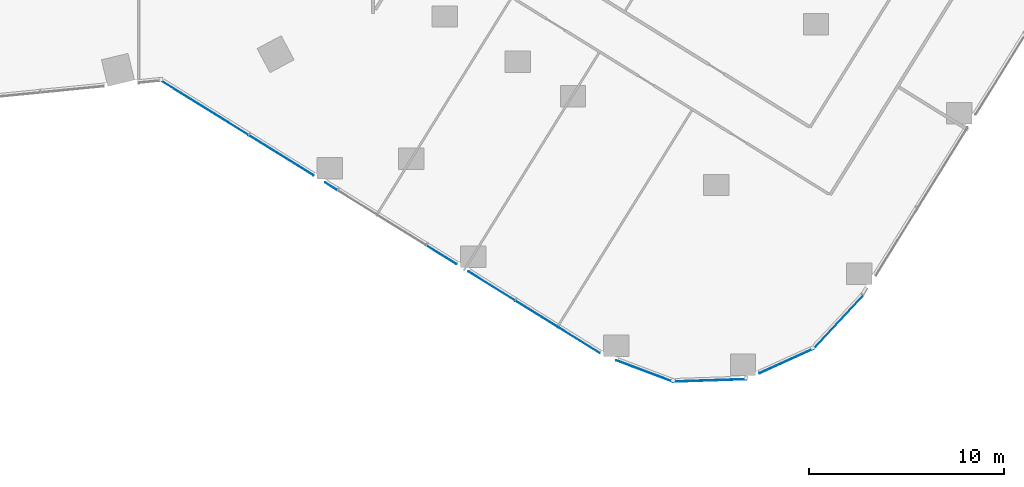
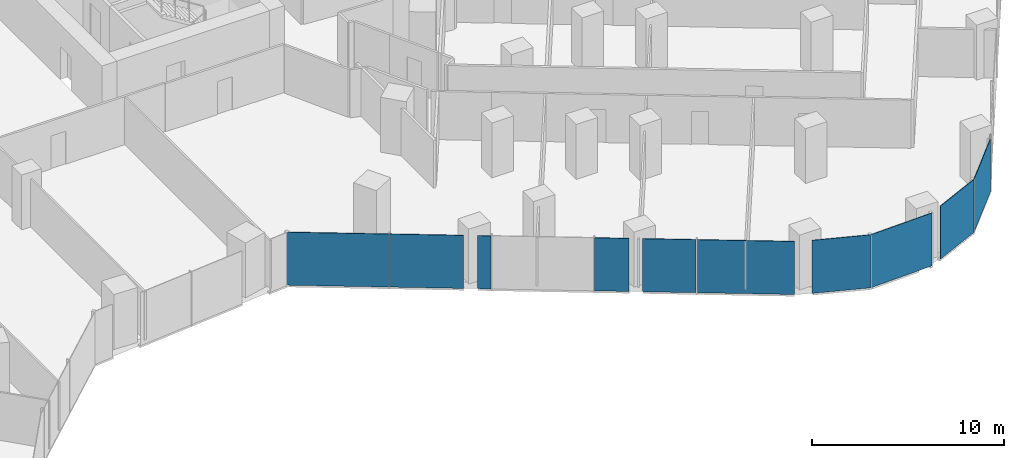
# One storey, part 21 of 34: 10 plates, 5 elements without a shape of their own.
"""IFC4 building model written with IfcOpenShell, lengths in metres."""

from ifc_helpers import new_model, si_unit, direction, frame, origin, origin_2d, place, context, subcontext, project, spatial, rectangle, extrude, material, layer, layer_set, type_object, element, aggregate, save


model = new_model("IFC4")

# Units and contexts
model_context = context("Model", 3, precision=1e-05, world=origin(), true_north=direction((0.0, 1.0)))
body_context = subcontext(model_context, "Body", "Model", "MODEL_VIEW")
ifc_project = project(units=[si_unit("LENGTHUNIT", "METRE"), si_unit("AREAUNIT", "SQUARE_METRE"), si_unit("VOLUMEUNIT", "CUBIC_METRE"), si_unit("PLANEANGLEUNIT", "RADIAN"), si_unit("MASSUNIT", "GRAM", prefix="KILO")], contexts=[model_context])

# Site, building, storey
site_placement = place(None, origin())
site = spatial("IfcSite", under=ifc_project, at=site_placement, CompositionType="ELEMENT")
building_placement = place(site_placement, origin())
building = spatial("IfcBuilding", under=site, at=building_placement, Name="Orlundy Tower", CompositionType="ELEMENT")
storey_placement = place(building_placement, frame((0.0, 0.0, 44.300048828125)))
storey = spatial("IfcBuildingStorey", under=building, at=storey_placement, Name="L09", CompositionType="ELEMENT", Elevation=44.300048828125)

# Curtain wall, plate
ifc_material_1 = material(Name="Aluminium bronze anodised", Category="aluminium")
curtain_wall_type = type_object("IfcCurtainWallType", Name="CW1 wall", PredefinedType="NOTDEFINED", material=ifc_material_1)
curtain_wall_1_placement = place(storey_placement, origin())
curtain_wall_1 = element("IfcCurtainWall", 1, at=curtain_wall_1_placement, inside=storey, type_object=curtain_wall_type, Name="CW1 run 012", PredefinedType="NOTDEFINED")
ifc_material_2 = material(Name="Tinted glass", Category="glass")
ifc_layer = layer(ifc_material_2, 0.031982421875)
ifc_layer_set = layer_set([ifc_layer], Name="CW1 glass panel 32")
plate_type = type_object("IfcPlateType", Name="CW1 glass panel 32", PredefinedType="CURTAIN_PANEL", material=ifc_layer_set)
plate_1_placement = place(storey_placement, frame((43.8515625, -41.78466796875, -0.300048828125), z_axis=(0.0, 0.0, 1.0), x_axis=(-0.68310607378, -0.730319171298, 0.0)))
plate_1 = element("IfcPlate", 2, at=plate_1_placement, type_object=plate_type, Name="CW1 panel", PredefinedType="CURTAIN_PANEL", context=body_context, shape_type="SweptSolid", body=[
    extrude(rectangle(XDim=3.730224609375, YDim=0.031982421875, at=origin_2d()), origin(), (0.0, 0.0, 1.0), 3.3798828125),
])
aggregate(curtain_wall_1, [plate_1])

curtain_wall_2_placement = place(storey_placement, origin())
curtain_wall_2 = element("IfcCurtainWall", 3, at=curtain_wall_2_placement, inside=storey, type_object=curtain_wall_type, Name="CW1 run 013", PredefinedType="NOTDEFINED")
plate_2_placement = place(storey_placement, frame((41.19775390625, -43.773193359375, -0.300048828125), z_axis=(0.0, 0.0, 1.0), x_axis=(-0.91057887201, -0.413335357608, 0.0)))
plate_2 = element("IfcPlate", 4, at=plate_2_placement, type_object=plate_type, Name="CW1 panel", PredefinedType="CURTAIN_PANEL", context=body_context, shape_type="SweptSolid", body=[
    extrude(rectangle(XDim=3.030517578125, YDim=0.031982421875, at=origin_2d()), origin(), (0.0, 0.0, 1.0), 3.3798828125),
])
aggregate(curtain_wall_2, [plate_2])

curtain_wall_3_placement = place(storey_placement, origin())
curtain_wall_3 = element("IfcCurtainWall", 5, at=curtain_wall_3_placement, inside=storey, type_object=curtain_wall_type, Name="CW1 run 014", PredefinedType="NOTDEFINED")
plate_3_placement = place(storey_placement, frame((37.258056640625, -44.768798828125, -0.300048828125), z_axis=(0.0, 0.0, 1.0), x_axis=(-0.99944040698, -0.033449557474, 0.0)))
plate_3 = element("IfcPlate", 6, at=plate_3_placement, type_object=plate_type, Name="CW1 panel", PredefinedType="CURTAIN_PANEL", context=body_context, shape_type="SweptSolid", body=[
    extrude(rectangle(XDim=3.772216796875, YDim=0.031982421875, at=origin_2d()), origin(), (0.0, 0.0, 1.0), 3.3798828125),
])
aggregate(curtain_wall_3, [plate_3])

curtain_wall_4_placement = place(storey_placement, origin())
curtain_wall_4 = element("IfcCurtainWall", 7, at=curtain_wall_4_placement, inside=storey, type_object=curtain_wall_type, Name="CW1 run 015", PredefinedType="NOTDEFINED")
plate_4_placement = place(storey_placement, frame((33.92138671875, -44.287109375, -0.300048828125), z_axis=(0.0, 0.0, 1.0), x_axis=(-0.936173864009, 0.351537332791, 0.0)))
plate_4 = element("IfcPlate", 8, at=plate_4_placement, type_object=plate_type, Name="CW1 panel", PredefinedType="CURTAIN_PANEL", context=body_context, shape_type="SweptSolid", body=[
    extrude(rectangle(XDim=3.1005859375, YDim=0.031982421875, at=origin_2d()), origin(), (0.0, 0.0, 1.0), 3.3798828125),
])
aggregate(curtain_wall_4, [plate_4])

# Curtain wall, plates
curtain_wall_5_placement = place(storey_placement, origin())
curtain_wall_5 = element("IfcCurtainWall", 9, at=curtain_wall_5_placement, inside=storey, type_object=curtain_wall_type, Name="CW1 run 016", PredefinedType="NOTDEFINED")
plate_5_placement = place(storey_placement, frame((29.469482421875, -42.029296875, -0.300048828125), z_axis=(0.0, 0.0, 1.0), x_axis=(-0.849586512969, 0.52744929328, 0.0)))
plate_5 = element("IfcPlate", 10, at=plate_5_placement, type_object=plate_type, Name="CW1 panel", PredefinedType="CURTAIN_PANEL", context=body_context, shape_type="SweptSolid", body=[
    extrude(rectangle(XDim=5.074462890625, YDim=0.031982421875, at=origin_2d()), origin(), (0.0, 0.0, 1.0), 3.3798828125),
])
plate_6_placement = place(storey_placement, frame((26.084228515625, -39.927978515625, -0.300048828125), z_axis=(0.0, 0.0, 1.0), x_axis=(-0.849586512969, 0.52744929328, 0.0)))
plate_6 = element("IfcPlate", 11, at=plate_6_placement, type_object=plate_type, Name="CW1 panel", PredefinedType="CURTAIN_PANEL", context=body_context, shape_type="SweptSolid", body=[
    extrude(rectangle(XDim=2.794189453125, YDim=0.031982421875, at=origin_2d()), origin(), (0.0, 0.0, 1.0), 3.3798828125),
])
plate_7_placement = place(storey_placement, frame((23.52587890625, -38.339599609375, -0.300048828125), z_axis=(0.0, 0.0, 1.0), x_axis=(-0.849586512969, 0.52744929328, 0.0)))
plate_7 = element("IfcPlate", 12, at=plate_7_placement, type_object=plate_type, Name="CW1 panel", PredefinedType="CURTAIN_PANEL", context=body_context, shape_type="SweptSolid", body=[
    extrude(rectangle(XDim=1.79638671875, YDim=0.031982421875, at=origin_2d()), origin(), (0.0, 0.0, 1.0), 3.3798828125),
])
plate_8_placement = place(storey_placement, frame((17.866455078125, -34.825927734375, -0.300048828125), z_axis=(0.0, 0.0, 1.0), x_axis=(-0.849586512969, 0.52744929328, 0.0)))
plate_8 = element("IfcPlate", 13, at=plate_8_placement, type_object=plate_type, Name="CW1 panel", PredefinedType="CURTAIN_PANEL", context=body_context, shape_type="SweptSolid", body=[
    extrude(rectangle(XDim=0.712646484375, YDim=0.031982421875, at=origin_2d()), origin(), (0.0, 0.0, 1.0), 3.3798828125),
])
plate_9_placement = place(storey_placement, frame((15.307373046875, -33.2373046875, -0.300048828125), z_axis=(0.0, 0.0, 1.0), x_axis=(-0.849586512969, 0.52744929328, 0.0)))
plate_9 = element("IfcPlate", 14, at=plate_9_placement, type_object=plate_type, Name="CW1 panel", PredefinedType="CURTAIN_PANEL", context=body_context, shape_type="SweptSolid", body=[
    extrude(rectangle(XDim=3.876220703125, YDim=0.031982421875, at=origin_2d()), origin(), (0.0, 0.0, 1.0), 3.3798828125),
])
plate_10_placement = place(storey_placement, frame((11.376953125, -30.797119140625, -0.300048828125), z_axis=(0.0, 0.0, 1.0), x_axis=(-0.849586512969, 0.52744929328, 0.0)))
plate_10 = element("IfcPlate", 15, at=plate_10_placement, type_object=plate_type, Name="CW1 panel", PredefinedType="CURTAIN_PANEL", context=body_context, shape_type="SweptSolid", body=[
    extrude(rectangle(XDim=5.276123046875, YDim=0.031982421875, at=origin_2d()), origin(), (0.0, 0.0, 1.0), 3.3798828125),
])
aggregate(curtain_wall_5, [plate_5, plate_6, plate_7, plate_8, plate_9, plate_10])

save(model, "model.ifc")
